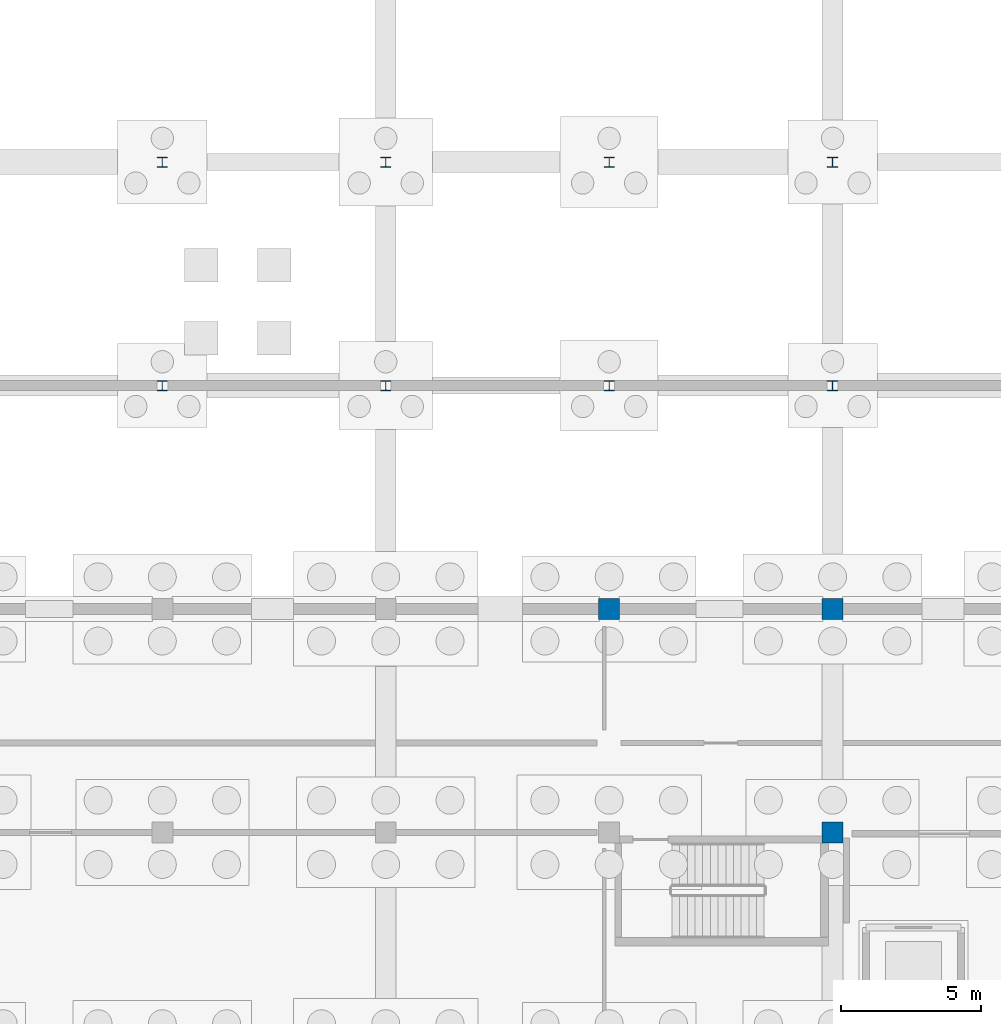
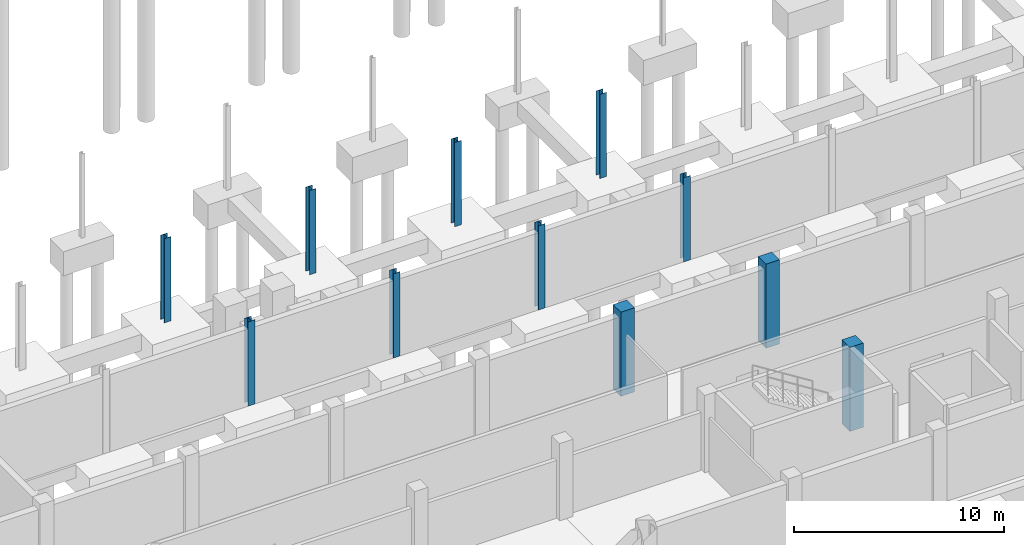
# One storey, part 24 of 51: 11 columns.
"""IFC4 building model written with IfcOpenShell, lengths in metres."""

from ifc_helpers import new_model, si_unit, direction, frame, origin, origin_2d, place, context, subcontext, project, spatial, rectangle, i_section, extrude, material, material_profile, profile_set, type_object, element, save


model = new_model("IFC4")

# Units and contexts
model_context = context("Model", 3, precision=1e-05, world=origin(), true_north=direction((0.0, 1.0)))
body_context = subcontext(model_context, "Body", "Model", "MODEL_VIEW")
ifc_project = project(units=[si_unit("LENGTHUNIT", "METRE"), si_unit("AREAUNIT", "SQUARE_METRE"), si_unit("VOLUMEUNIT", "CUBIC_METRE"), si_unit("PLANEANGLEUNIT", "RADIAN"), si_unit("MASSUNIT", "GRAM", prefix="KILO")], contexts=[model_context])

# Site, building, storey
site_placement = place(None, origin())
site = spatial("IfcSite", under=ifc_project, at=site_placement, CompositionType="ELEMENT")
building_placement = place(site_placement, origin())
building = spatial("IfcBuilding", under=site, at=building_placement, Name="Jelvoka-Kovrelna Polytechnic", CompositionType="ELEMENT")
storey_placement = place(building_placement, frame((0.0, 0.0, -4.5)))
storey = spatial("IfcBuildingStorey", under=building, at=storey_placement, Name="B01", CompositionType="ELEMENT", Elevation=-4.5)

# Columns
ifc_material_1 = material(Name="Concrete C40/50", Category="concrete")
ifc_material_profile_1 = material_profile(ifc_material_1, rectangle(XDim=0.75, YDim=0.75, at=origin_2d()), Name="RC 750x750")
ifc_profile_set_1 = profile_set([ifc_material_profile_1], Name="Concrete C40/50")
column_type_1 = type_object("IfcColumnType", Name="Col_RC_750", PredefinedType="COLUMN", material=ifc_profile_set_1)
for number, where, z_axis, x_axis, name in (
    (1, (128.0, 64.0, -0.405029296875), (0.0, 0.0, 1.0), (1.0, 0.0, 0.0), "B01 column 1222"),
    (2, (120.0, 72.0, -0.405029296875), (0.0, 0.0, 1.0), (1.0, 0.0, 0.0), "B01 column 1374"),
    (3, (128.0, 72.0, -0.405029296875), (0.0, 0.0, 1.0), (1.0, 0.0, 0.0), "B01 column 1383"),
):
    element("IfcColumn", number, at=place(storey_placement, frame(where, z_axis=z_axis, x_axis=x_axis)), inside=storey, type_object=column_type_1, Name=name, PredefinedType="COLUMN", context=body_context, shape_type="SweptSolid", body=[
        extrude(rectangle(XDim=0.75, YDim=0.75, at=origin_2d()), origin(), (0.0, 0.0, 1.0), 4.905029296875),
    ])
ifc_material_2 = material(Name="Structural steel S355JR", Category="steel")
ifc_material_profile_2 = material_profile(ifc_material_2, i_section(OverallWidth=0.36865234375, OverallDepth=0.355712890625, WebThickness=0.010498046875, FlangeThickness=0.017578125, FilletRadius=0.01513671875, at=origin_2d()), Name="356x368x129 UC")
ifc_profile_set_2 = profile_set([ifc_material_profile_2], Name="Structural steel S355JR")
column_type_2 = type_object("IfcColumnType", Name="Col_Steel_UC356", PredefinedType="COLUMN", material=ifc_profile_set_2)
for number, where, z_axis, x_axis, name in (
    (4, (104.0, 80.0, -0.405029296875), (0.0, 0.0, 1.0), (1.0, 0.0, 0.0), "B01 column 1482"),
    (5, (112.0, 80.0, -0.405029296875), (0.0, 0.0, 1.0), (1.0, 0.0, 0.0), "B01 column 1485"),
    (6, (120.0, 80.0, -0.405029296875), (0.0, 0.0, 1.0), (1.0, 0.0, 0.0), "B01 column 1488"),
    (7, (128.0, 80.0, -0.405029296875), (0.0, 0.0, 1.0), (1.0, 0.0, 0.0), "B01 column 1491"),
    (8, (104.0, 88.0, -0.405029296875), (0.0, 0.0, 1.0), (1.0, 0.0, 0.0), "B01 column 1537"),
    (9, (112.0, 88.0, -0.405029296875), (0.0, 0.0, 1.0), (1.0, 0.0, 0.0), "B01 column 1540"),
    (10, (120.0, 88.0, -0.405029296875), (0.0, 0.0, 1.0), (1.0, 0.0, 0.0), "B01 column 1543"),
    (11, (128.0, 88.0, -0.405029296875), (0.0, 0.0, 1.0), (1.0, 0.0, 0.0), "B01 column 1546"),
):
    element("IfcColumn", number, at=place(storey_placement, frame(where, z_axis=z_axis, x_axis=x_axis)), inside=storey, type_object=column_type_2, Name=name, PredefinedType="COLUMN", context=body_context, shape_type="SweptSolid", body=[
        extrude(i_section(OverallWidth=0.36865234375, OverallDepth=0.355712890625, WebThickness=0.010498046875, FlangeThickness=0.017578125, FilletRadius=0.01513671875, at=origin_2d()), origin(), (0.0, 0.0, 1.0), 4.905029296875),
    ])

save(model, "model.ifc")
